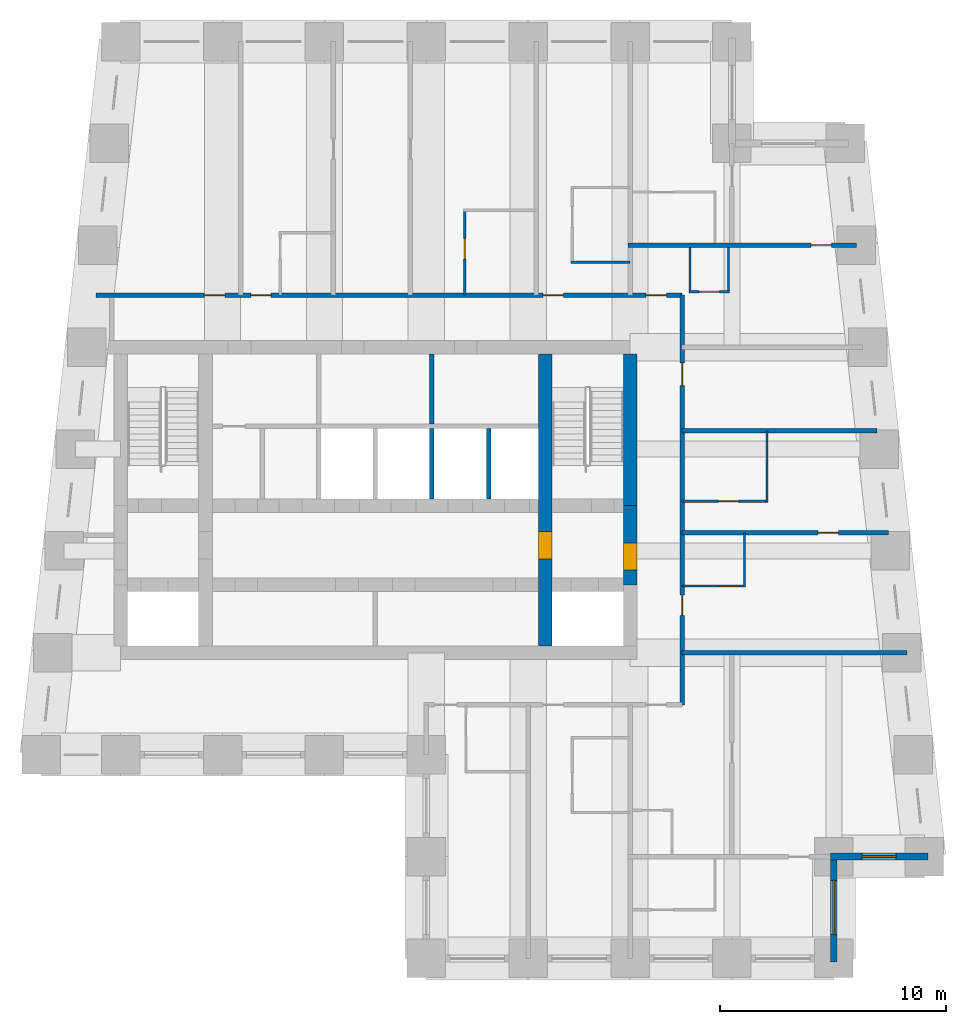
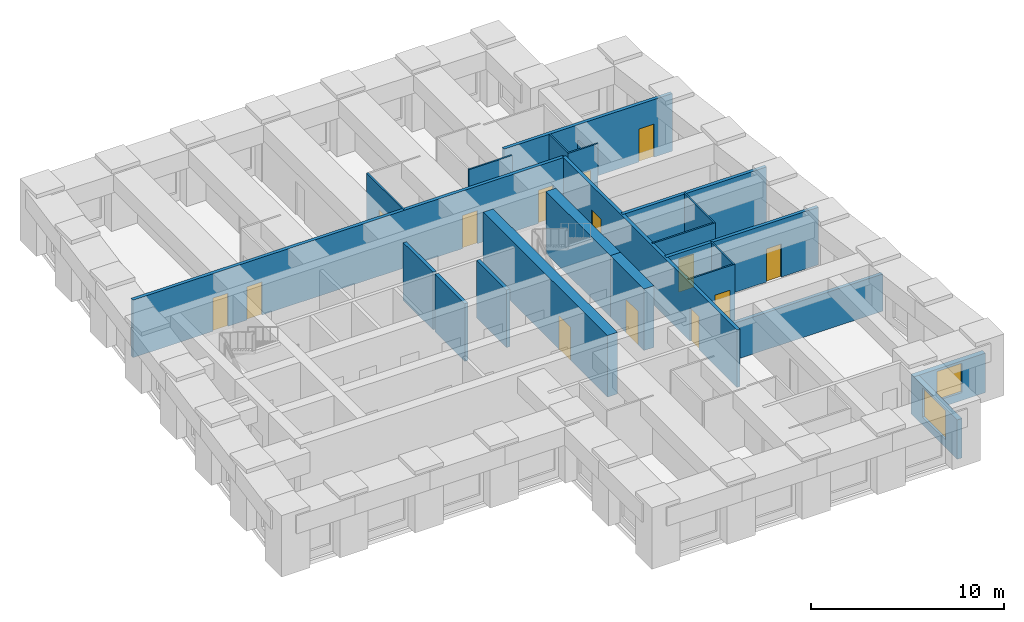
# One storey, part 4 of 7: 23 walls, 14 doors, 2 windows, 16 openings.
"""IFC4 building model written with IfcOpenShell, lengths in metres."""

import ifcopenshell
import ifcopenshell.guid

model = None  # the IFC model being written
_history = None  # IfcOwnerHistory: only IFC2X3 demands one
_inside = {}  # id of a spatial element -> (the spatial element, [elements in it])
_under = {}  # id of a project, library or spatial element -> (it, [spatial elements below it])
_declared = {}  # id of a project -> (the project, [libraries it declares])
_typed = {}  # id of a type object -> (the type object, [elements of that type])
_made_of = {}  # id of a material, layer set ... -> (it, [elements and type objects made of it])


def new_model(schema):
    """Start an empty IFC model of exactly this schema.

    Asked for "IFC4X3", IfcOpenShell would pick the latest addendum, in which some entities
    have other attributes; the version numbers below select the first issue.
    IFC2X3 requires an IfcOwnerHistory on every rooted entity: one is made here for all.
    """
    global model, _history
    if schema == "IFC4X3":
        model = ifcopenshell.file(schema_version=(4, 3, 0, 0))
    else:
        model = ifcopenshell.file(schema=schema)
    _inside.clear()
    _under.clear()
    _declared.clear()
    _typed.clear()
    _made_of.clear()
    _history = None
    if model.schema == "IFC2X3":
        org = make("IfcOrganization", Name="unknown")
        user = make(
            "IfcPersonAndOrganization",
            ThePerson=make("IfcPerson", FamilyName="unknown"),
            TheOrganization=org,
        )
        app = make(
            "IfcApplication",
            ApplicationDeveloper=org,
            Version="unknown",
            ApplicationFullName="unknown",
            ApplicationIdentifier="unknown",
        )
        _history = make(
            "IfcOwnerHistory",
            OwningUser=user,
            OwningApplication=app,
            ChangeAction="ADDED",
            CreationDate=0,
        )
    return model


def make(cls, **values):
    """One entity of the class cls with the attributes given. An attribute that is None is left unset."""
    return model.create_entity(
        cls, **{name: value for name, value in values.items() if value is not None}
    )


def rooted(cls, **values):
    """An entity with a GlobalId (a new one), such as an element, a storey or a relation."""
    return make(cls, GlobalId=ifcopenshell.guid.new(), OwnerHistory=_history, **values)


def si_unit(unit_type, name, prefix=None):
    """IfcSIUnit, for example si_unit("LENGTHUNIT", "METRE", prefix="MILLI")."""
    return make("IfcSIUnit", UnitType=unit_type, Prefix=prefix, Name=name)


def assignment(units):
    """IfcUnitAssignment: the units of a project."""
    return None if units is None else make("IfcUnitAssignment", Units=units)


def point(xyz):
    """IfcCartesianPoint."""
    return None if xyz is None else make("IfcCartesianPoint", Coordinates=xyz)


def direction(xyz):
    """IfcDirection."""
    return None if xyz is None else make("IfcDirection", DirectionRatios=xyz)


def frame(location, z_axis=None, x_axis=None):
    """IfcAxis2Placement3D, a coordinate frame: its origin and axes. An axis left out is left unset."""
    return make(
        "IfcAxis2Placement3D",
        Location=point(location),
        Axis=direction(z_axis),
        RefDirection=direction(x_axis),
    )


def frame_2d(location, x_axis=None):
    """IfcAxis2Placement2D, a coordinate frame in the plane: its origin and x axis."""
    return make(
        "IfcAxis2Placement2D", Location=point(location), RefDirection=direction(x_axis)
    )


def origin():
    """The frame at (0, 0, 0) with its axes left unset."""
    return frame((0.0, 0.0, 0.0))


def place(relative_to, where):
    """IfcLocalPlacement: puts the frame where relative to a parent placement (None: the world)."""
    return make(
        "IfcLocalPlacement", PlacementRelTo=relative_to, RelativePlacement=where
    )


def context(
    kind, dimensions, precision=None, world=None, true_north=None, identifier=None
):
    """IfcGeometricRepresentationContext, for example the 3D "Model" context."""
    return make(
        "IfcGeometricRepresentationContext",
        ContextIdentifier=identifier,
        ContextType=kind,
        CoordinateSpaceDimension=dimensions,
        Precision=precision,
        WorldCoordinateSystem=world,
        TrueNorth=true_north,
    )


def subcontext(parent, identifier, kind, view, scale=None):
    """IfcGeometricRepresentationSubContext, for example "Body" below "Model"."""
    return make(
        "IfcGeometricRepresentationSubContext",
        ContextIdentifier=identifier,
        ContextType=kind,
        ParentContext=parent,
        TargetScale=scale,
        TargetView=view,
    )


def project(units=None, contexts=None):
    """IfcProject with its units and contexts."""
    return rooted(
        "IfcProject",
        Name="project",
        RepresentationContexts=contexts,
        UnitsInContext=assignment(units),
    )


def spatial(cls, under=None, at=None, **own):
    """A site, building, storey or space (cls), placed at a placement, below another one or the project."""
    s = rooted(cls, ObjectPlacement=at, **own)
    if under is not None:
        _under.setdefault(under.id(), (under, []))[1].append(s)
    return s


def profile(cls, at=None, kind="AREA", **sizes):
    """A parametric profile (cls). Its sizes go by their IFC names, for example OverallWidth=200.0."""
    return make(cls, ProfileType=kind, Position=at, **sizes)


def rectangle(**sizes):
    """IfcRectangleProfileDef."""
    return profile("IfcRectangleProfileDef", **sizes)


def extrude(swept, where, along, depth):
    """IfcExtrudedAreaSolid: the profile swept, set in the frame where, extruded along a direction by depth."""
    return make(
        "IfcExtrudedAreaSolid",
        SweptArea=swept,
        Position=where,
        ExtrudedDirection=direction(along),
        Depth=depth,
    )


def shape(context_of_items, identifier, shape_type, items):
    """IfcShapeRepresentation: the items that make up one representation, for example the "Body"."""
    return make(
        "IfcShapeRepresentation",
        ContextOfItems=context_of_items,
        RepresentationIdentifier=identifier,
        RepresentationType=shape_type,
        Items=items,
    )


def material(Name=None, Category=None):
    """IfcMaterial."""
    return make("IfcMaterial", Name=Name, Category=Category)


def layer(
    of_material, thickness, ventilated=None, Name=None, Category=None, Priority=None
):
    """IfcMaterialLayer: one layer of a wall or slab, of a material (None: an air gap)."""
    return make(
        "IfcMaterialLayer",
        Material=of_material,
        LayerThickness=thickness,
        IsVentilated=ventilated,
        Name=Name,
        Category=Category,
        Priority=Priority,
    )


def layer_set(layers, Name=None):
    """IfcMaterialLayerSet."""
    return make("IfcMaterialLayerSet", MaterialLayers=layers, LayerSetName=Name)


def made_of(thing, what):
    """Note that an element or type object is made of a material, layer set ...; save() writes the relation."""
    if what is not None:
        _made_of.setdefault(what.id(), (what, []))[1].append(thing)
    return thing


def type_object(cls, material=None, **own):
    """A type object (cls), such as IfcWallType, which elements share."""
    return made_of(rooted(cls, **own), material)


def element(
    cls,
    number,
    at=None,
    inside=None,
    cuts=None,
    type_object=None,
    material=None,
    context=None,
    identifier="Body",
    shape_type=None,
    held_by="IfcProductDefinitionShape",
    body=None,
    shapes=None,
    **own,
):
    """One element of the class cls, such as IfcWall. Its Tag is "e" and its number.

    at: its placement. inside: the storey or other place that contains it. cuts: it is an
    opening in that element (IfcRelVoidsElement). A single representation is given by context,
    identifier, shape_type and body (its items); several are given by shapes. held_by: the class
    of the entity that holds the representations. save() writes the other relations.
    """
    e = rooted(cls, Tag="e%d" % number, ObjectPlacement=at, **own)
    if body is not None:
        shapes = [shape(context, identifier, shape_type, body)]
    if shapes is not None:
        e.Representation = make(held_by, Representations=shapes)
    if inside is not None:
        _inside.setdefault(inside.id(), (inside, []))[1].append(e)
    if cuts is not None:
        rooted(
            "IfcRelVoidsElement", RelatingBuildingElement=cuts, RelatedOpeningElement=e
        )
    if type_object is not None:
        _typed.setdefault(type_object.id(), (type_object, []))[1].append(e)
    return made_of(e, material)


def fill(opening, filler):
    """IfcRelFillsElement: the door or window that sits in an opening."""
    return rooted(
        "IfcRelFillsElement",
        RelatingOpeningElement=opening,
        RelatedBuildingElement=filler,
    )


def aggregate(whole, parts):
    """IfcRelAggregates: a whole, such as a stair, and the parts it consists of."""
    return rooted("IfcRelAggregates", RelatingObject=whole, RelatedObjects=parts)


def save(model, path):
    """Write the relations noted so far, then the file.

    IfcRelAggregates (storeys below a building ...), IfcRelContainedInSpatialStructure (elements
    in a storey), IfcRelDefinesByType, IfcRelAssociatesMaterial and IfcRelDeclares: one each for
    every whole, place, type object, material and project.
    """
    for whole, parts in _under.values():
        aggregate(whole, parts)
    for where, things in _inside.values():
        rooted(
            "IfcRelContainedInSpatialStructure",
            RelatedElements=things,
            RelatingStructure=where,
        )
    for kind, things in _typed.values():
        rooted("IfcRelDefinesByType", RelatedObjects=things, RelatingType=kind)
    for what, things in _made_of.values():
        rooted("IfcRelAssociatesMaterial", RelatedObjects=things, RelatingMaterial=what)
    for by, libraries in _declared.values():
        rooted("IfcRelDeclares", RelatingContext=by, RelatedDefinitions=libraries)
    model.write(path)


model = new_model("IFC4")

# Units and contexts
model_context = context("Model", 3, precision=1e-05, world=origin(), true_north=direction((0.0, 1.0)))
body_context = subcontext(model_context, "Body", "Model", "MODEL_VIEW")
ifc_project = project(units=[si_unit("LENGTHUNIT", "METRE"), si_unit("AREAUNIT", "SQUARE_METRE"), si_unit("VOLUMEUNIT", "CUBIC_METRE"), si_unit("PLANEANGLEUNIT", "RADIAN"), si_unit("MASSUNIT", "GRAM", prefix="KILO")], contexts=[model_context])

# Site, building, storey
site_placement = place(None, origin())
site = spatial("IfcSite", under=ifc_project, at=site_placement, CompositionType="ELEMENT")
building_placement = place(site_placement, origin())
building = spatial("IfcBuilding", under=site, at=building_placement, Name="Kilele Tower Hotel", CompositionType="ELEMENT")
storey_placement = place(building_placement, frame((0.0, 0.0, 233.0)))
storey = spatial("IfcBuildingStorey", under=building, at=storey_placement, Name="L60", CompositionType="ELEMENT", Elevation=233.0)

# Wall
ifc_material_1 = material(Name="Moisture-resistant board")
ifc_layer_1 = layer(ifc_material_1, 0.10009765625)
ifc_layer_set_1 = layer_set([ifc_layer_1], Name="Moisture-resistant board")
wall_type_1 = type_object("IfcWallType", Name="Bathroom partition 100", PredefinedType="PLUMBINGWALL", material=ifc_layer_set_1)
wall_1_placement = place(storey_placement, frame((41.050048828125, 16.39990234375, 0.0), z_axis=(0.0, 0.0, 1.0), x_axis=(0.0, 1.0, 0.0)))
element("IfcWall", 1, at=wall_1_placement, inside=storey, type_object=wall_type_1, Name="Bathroom partition 100 L60", PredefinedType="PLUMBINGWALL", context=body_context, shape_type="SweptSolid", body=[
    extrude(rectangle(XDim=2.400146484375, YDim=0.10009765625, at=frame_2d((1.2001953125, 0.0))), origin(), (0.0, 0.0, 1.0), 3.64990234375),
])

# Wall, opening, door
wall_2_placement = place(storey_placement, frame((38.300048828125, 16.449951171875, 0.0), z_axis=(0.0, 0.0, 1.0), x_axis=(1.0, 0.0, 0.0)))
wall_2 = element("IfcWall", 2, at=wall_2_placement, inside=storey, type_object=wall_type_1, Name="Bathroom partition 100 L60", PredefinedType="PLUMBINGWALL", context=body_context, shape_type="SweptSolid", body=[
    extrude(rectangle(XDim=2.800048828125, YDim=0.10009765625, at=frame_2d((1.39990234375, 0.0))), origin(), (0.0, 0.0, 1.0), 3.64990234375),
])
opening_1_placement = place(wall_2_placement, frame((2.5, 0.0, 0.0), z_axis=(0.0, 0.0, 1.0), x_axis=(-1.0, 0.0, 0.0)))
opening_1 = element("IfcOpeningElement", 3, at=opening_1_placement, cuts=wall_2, Name="Opening D2A", PredefinedType="OPENING", context=body_context, shape_type="SweptSolid", body=[
    extrude(rectangle(XDim=0.89990234375, YDim=2.10009765625, at=frame_2d((0.449951171875, 1.050048828125))), frame((0.0, 0.06005859375, 0.0), z_axis=(0.0, -1.0, 0.0), x_axis=(1.0, 0.0, 0.0)), (0.0, 0.0, 1.0), 0.1201171875),
])
ifc_material_2 = material(Name="Timber door leaf in hardwood frame", Category="wood")
door_type_1 = type_object("IfcDoorType", Name="Bathroom door 900", OperationType="SINGLE_SWING_LEFT", PredefinedType="DOOR", material=ifc_material_2)
door_1_placement = place(opening_1_placement, origin())
door_1 = element("IfcDoor", 4, at=door_1_placement, inside=storey, type_object=door_type_1, Name="Bathroom door 6004B", OperationType="SINGLE_SWING_RIGHT", OverallHeight=2.10009765625, OverallWidth=0.89990234375, PredefinedType="DOOR", context=body_context, shape_type="SweptSolid", body=[
    extrude(rectangle(XDim=0.89990234375, YDim=2.10009765625, at=frame_2d((0.449951171875, 1.050048828125))), frame((0.0, 0.02490234375, 0.0), z_axis=(0.0, -1.0, 0.0), x_axis=(1.0, 0.0, 0.0)), (0.0, 0.0, 1.0), 0.050048828125),
])
fill(opening_1, door_1)

# Wall
wall_3_placement = place(storey_placement, frame((42.050048828125, 20.14990234375, 0.0), z_axis=(0.0, 0.0, 1.0), x_axis=(0.0, 1.0, 0.0)))
element("IfcWall", 5, at=wall_3_placement, inside=storey, type_object=wall_type_1, Name="Bathroom partition 100 L60", PredefinedType="PLUMBINGWALL", context=body_context, shape_type="SweptSolid", body=[
    extrude(rectangle(XDim=3.150146484375, YDim=0.10009765625, at=frame_2d((1.5751953125, 0.0))), origin(), (0.0, 0.0, 1.0), 3.64990234375),
])

# Wall, opening, door
wall_4_placement = place(storey_placement, frame((38.300048828125, 20.199951171875, 0.0), z_axis=(0.0, 0.0, 1.0), x_axis=(1.0, 0.0, 0.0)))
wall_4 = element("IfcWall", 6, at=wall_4_placement, inside=storey, type_object=wall_type_1, Name="Bathroom partition 100 L60", PredefinedType="PLUMBINGWALL", context=body_context, shape_type="SweptSolid", body=[
    extrude(rectangle(XDim=3.800048828125, YDim=0.10009765625, at=frame_2d((1.89990234375, 0.0))), origin(), (0.0, 0.0, 1.0), 3.64990234375),
])
opening_2_placement = place(wall_4_placement, frame((2.5, 0.0, 0.0), z_axis=(0.0, 0.0, 1.0), x_axis=(-1.0, 0.0, 0.0)))
opening_2 = element("IfcOpeningElement", 7, at=opening_2_placement, cuts=wall_4, Name="Opening D2A", PredefinedType="OPENING", context=body_context, shape_type="SweptSolid", body=[
    extrude(rectangle(XDim=0.89990234375, YDim=2.10009765625, at=frame_2d((0.449951171875, 1.050048828125))), frame((0.0, 0.06005859375, 0.0), z_axis=(0.0, -1.0, 0.0), x_axis=(1.0, 0.0, 0.0)), (0.0, 0.0, 1.0), 0.1201171875),
])
door_2_placement = place(opening_2_placement, origin())
door_2 = element("IfcDoor", 8, at=door_2_placement, inside=storey, type_object=door_type_1, Name="Bathroom door 6005B", OperationType="SINGLE_SWING_RIGHT", OverallHeight=2.10009765625, OverallWidth=0.89990234375, PredefinedType="DOOR", context=body_context, shape_type="SweptSolid", body=[
    extrude(rectangle(XDim=0.89990234375, YDim=2.10009765625, at=frame_2d((0.449951171875, 1.050048828125))), frame((0.0, 0.02490234375, 0.0), z_axis=(0.0, -1.0, 0.0), x_axis=(1.0, 0.0, 0.0)), (0.0, 0.0, 1.0), 0.050048828125),
])
fill(opening_2, door_2)

wall_5_placement = place(storey_placement, frame((28.699951171875, 29.300048828125, 0.0), z_axis=(0.0, 0.0, 1.0), x_axis=(0.0, 1.0, 0.0)))
wall_5 = element("IfcWall", 9, at=wall_5_placement, inside=storey, type_object=wall_type_1, Name="Bathroom partition 100 L60", PredefinedType="PLUMBINGWALL", context=body_context, shape_type="SweptSolid", body=[
    extrude(rectangle(XDim=3.800048828125, YDim=0.10009765625, at=frame_2d((1.89990234375, 0.0))), origin(), (0.0, 0.0, 1.0), 3.64990234375),
])
opening_3_placement = place(wall_5_placement, frame((1.60009765625, 0.0, 0.0)))
opening_3 = element("IfcOpeningElement", 10, at=opening_3_placement, cuts=wall_5, Name="Opening D2A", PredefinedType="OPENING", context=body_context, shape_type="SweptSolid", body=[
    extrude(rectangle(XDim=0.89990234375, YDim=2.10009765625, at=frame_2d((0.449951171875, 1.050048828125))), frame((0.0, 0.06005859375, 0.0), z_axis=(0.0, -1.0, 0.0), x_axis=(1.0, 0.0, 0.0)), (0.0, 0.0, 1.0), 0.1201171875),
])
door_3_placement = place(opening_3_placement, origin())
door_3 = element("IfcDoor", 11, at=door_3_placement, inside=storey, type_object=door_type_1, Name="Bathroom door 6010B", OperationType="SINGLE_SWING_LEFT", OverallHeight=2.10009765625, OverallWidth=0.89990234375, PredefinedType="DOOR", context=body_context, shape_type="SweptSolid", body=[
    extrude(rectangle(XDim=0.89990234375, YDim=2.10009765625, at=frame_2d((0.449951171875, 1.050048828125))), frame((0.0, 0.02490234375, 0.0), z_axis=(0.0, -1.0, 0.0), x_axis=(1.0, 0.0, 0.0)), (0.0, 0.0, 1.0), 0.050048828125),
])
fill(opening_3, door_3)

# Walls
wall_6_placement = place(storey_placement, frame((33.39990234375, 30.75, 0.0), z_axis=(0.0, 0.0, 1.0), x_axis=(1.0, 0.0, 0.0)))
element("IfcWall", 12, at=wall_6_placement, inside=storey, type_object=wall_type_1, Name="Bathroom partition 100 L60", PredefinedType="PLUMBINGWALL", context=body_context, shape_type="SweptSolid", body=[
    extrude(rectangle(XDim=2.60009765625, YDim=0.10009765625, at=frame_2d((1.300048828125, 0.0))), origin(), (0.0, 0.0, 1.0), 3.64990234375),
])
wall_7_placement = place(storey_placement, frame((40.35009765625, 31.39990234375, 0.0), z_axis=(0.0, 0.0, 1.0), x_axis=(0.0, -1.0, 0.0)))
element("IfcWall", 13, at=wall_7_placement, inside=storey, type_object=wall_type_1, Name="Bathroom partition 100 L60", PredefinedType="PLUMBINGWALL", context=body_context, shape_type="SweptSolid", body=[
    extrude(rectangle(XDim=2.0, YDim=0.10009765625, at=frame_2d((1.0, 0.0))), origin(), (0.0, 0.0, 1.0), 2.64990234375),
])
wall_8_placement = place(storey_placement, frame((38.64990234375, 31.39990234375, 0.0), z_axis=(0.0, 0.0, 1.0), x_axis=(0.0, -1.0, 0.0)))
element("IfcWall", 14, at=wall_8_placement, inside=storey, type_object=wall_type_1, Name="Bathroom partition 100 L60", PredefinedType="PLUMBINGWALL", context=body_context, shape_type="SweptSolid", body=[
    extrude(rectangle(XDim=2.0, YDim=0.10009765625, at=frame_2d((1.0, 0.0))), origin(), (0.0, 0.0, 1.0), 3.64990234375),
])

# Wall, opening, door
wall_9_placement = place(storey_placement, frame((38.60009765625, 29.449951171875, 0.0), z_axis=(0.0, 0.0, 1.0), x_axis=(1.0, 0.0, 0.0)))
wall_9 = element("IfcWall", 15, at=wall_9_placement, inside=storey, type_object=wall_type_1, Name="Bathroom partition 100 L60", PredefinedType="PLUMBINGWALL", context=body_context, shape_type="SweptSolid", body=[
    extrude(rectangle(XDim=1.7998046875, YDim=0.10009765625, at=frame_2d((0.89990234375, 0.0))), origin(), (0.0, 0.0, 1.0), 3.64990234375),
])
opening_4_placement = place(wall_9_placement, frame((1.349853515625, 0.0, 0.0), z_axis=(0.0, 0.0, 1.0), x_axis=(-1.0, 0.0, 0.0)))
opening_4 = element("IfcOpeningElement", 16, at=opening_4_placement, cuts=wall_9, Name="Opening D2A", PredefinedType="OPENING", context=body_context, shape_type="SweptSolid", body=[
    extrude(rectangle(XDim=0.89990234375, YDim=2.10009765625, at=frame_2d((0.449951171875, 1.050048828125))), frame((0.0, 0.06005859375, 0.0), z_axis=(0.0, -1.0, 0.0), x_axis=(1.0, 0.0, 0.0)), (0.0, 0.0, 1.0), 0.1201171875),
])
door_4_placement = place(opening_4_placement, origin())
door_4 = element("IfcDoor", 17, at=door_4_placement, inside=storey, type_object=door_type_1, Name="Bathroom door 6015P", OperationType="SINGLE_SWING_RIGHT", OverallHeight=2.10009765625, OverallWidth=0.89990234375, PredefinedType="DOOR", context=body_context, shape_type="SweptSolid", body=[
    extrude(rectangle(XDim=0.89990234375, YDim=2.10009765625, at=frame_2d((0.449951171875, 1.050048828125))), frame((0.0, 0.02490234375, 0.0), z_axis=(0.0, -1.0, 0.0), x_axis=(1.0, 0.0, 0.0)), (0.0, 0.0, 1.0), 0.050048828125),
])
fill(opening_4, door_4)

ifc_material_3 = material(Name="Concrete C60/75", Category="concrete")
ifc_layer_2 = layer(ifc_material_3, 0.60009765625)
ifc_layer_set_2 = layer_set([ifc_layer_2], Name="Concrete C60/75")
wall_type_2 = type_object("IfcWallType", Name="Core wall 600 C60/75", PredefinedType="SHEAR", material=ifc_layer_set_2)
wall_10_placement = place(storey_placement, frame((32.25, 13.800048828125, 0.0), z_axis=(0.0, 0.0, 1.0), x_axis=(0.0, 1.0, 0.0)))
wall_10 = element("IfcWall", 18, at=wall_10_placement, inside=storey, type_object=wall_type_2, Name="Core wall IE L60", PredefinedType="SHEAR", context=body_context, shape_type="SweptSolid", body=[
    extrude(rectangle(XDim=12.89990234375, YDim=0.60009765625, at=frame_2d((6.449951171875, 0.0))), origin(), (0.0, 0.0, 1.0), 3.89990234375),
])
opening_5_placement = place(wall_10_placement, frame((5.050048828125, 0.0, 0.0), z_axis=(0.0, 0.0, 1.0), x_axis=(-1.0, 0.0, 0.0)))
opening_5 = element("IfcOpeningElement", 19, at=opening_5_placement, cuts=wall_10, Name="Opening D4", PredefinedType="OPENING", context=body_context, shape_type="SweptSolid", body=[
    extrude(rectangle(XDim=1.199951171875, YDim=2.10009765625, at=frame_2d((0.60009765625, 1.050048828125))), frame((0.0, 0.31005859375, 0.0), z_axis=(0.0, -1.0, 0.0), x_axis=(1.0, 0.0, 0.0)), (0.0, 0.0, 1.0), 0.6201171875),
])
ifc_material_4 = material(Name="Timber door leaf in hardwood frame", Category="wood")
door_type_2 = type_object("IfcDoorType", Name="Firefighting lobby door 1200", OperationType="SINGLE_SWING_LEFT", PredefinedType="DOOR", material=ifc_material_4)
door_5_placement = place(opening_5_placement, origin())
door_5 = element("IfcDoor", 20, at=door_5_placement, inside=storey, type_object=door_type_2, Name="Lobby door L60", OperationType="SINGLE_SWING_RIGHT", OverallHeight=2.10009765625, OverallWidth=1.199951171875, PredefinedType="DOOR", context=body_context, shape_type="SweptSolid", body=[
    extrude(rectangle(XDim=1.199951171875, YDim=2.10009765625, at=frame_2d((0.60009765625, 1.050048828125))), frame((0.0, 0.2998046875, 0.0), z_axis=(0.0, -1.0, 0.0), x_axis=(1.0, 0.0, 0.0)), (0.0, 0.0, 1.0), 0.599609375),
])
fill(opening_5, door_5)

wall_11_placement = place(storey_placement, frame((36.0, 16.5, 0.0), z_axis=(0.0, 0.0, 1.0), x_axis=(0.0, 1.0, 0.0)))
wall_11 = element("IfcWall", 21, at=wall_11_placement, inside=storey, type_object=wall_type_2, Name="Core wall E2 L60", PredefinedType="SHEAR", context=body_context, shape_type="SweptSolid", body=[
    extrude(rectangle(XDim=3.5, YDim=0.60009765625, at=frame_2d((1.75, 0.0))), origin(), (0.0, 0.0, 1.0), 3.89990234375),
])
opening_6_placement = place(wall_11_placement, frame((0.64990234375, 0.0, 0.0)))
opening_6 = element("IfcOpeningElement", 22, at=opening_6_placement, cuts=wall_11, Name="Opening D4", PredefinedType="OPENING", context=body_context, shape_type="SweptSolid", body=[
    extrude(rectangle(XDim=1.199951171875, YDim=2.10009765625, at=frame_2d((0.60009765625, 1.050048828125))), frame((0.0, 0.31005859375, 0.0), z_axis=(0.0, -1.0, 0.0), x_axis=(1.0, 0.0, 0.0)), (0.0, 0.0, 1.0), 0.6201171875),
])
door_6_placement = place(opening_6_placement, origin())
door_6 = element("IfcDoor", 23, at=door_6_placement, inside=storey, type_object=door_type_2, Name="Lobby door L60", OperationType="SINGLE_SWING_LEFT", OverallHeight=2.10009765625, OverallWidth=1.199951171875, PredefinedType="DOOR", context=body_context, shape_type="SweptSolid", body=[
    extrude(rectangle(XDim=1.199951171875, YDim=2.10009765625, at=frame_2d((0.60009765625, 1.050048828125))), frame((0.0, 0.2998046875, 0.0), z_axis=(0.0, -1.0, 0.0), x_axis=(1.0, 0.0, 0.0)), (0.0, 0.0, 1.0), 0.599609375),
])
fill(opening_6, door_6)

# Wall
wall_12_placement = place(storey_placement, frame((36.0, 20.0, 0.0), z_axis=(0.0, 0.0, 1.0), x_axis=(0.0, 1.0, 0.0)))
element("IfcWall", 24, at=wall_12_placement, inside=storey, type_object=wall_type_2, Name="Core wall E3 L60", PredefinedType="SHEAR", context=body_context, shape_type="SweptSolid", body=[
    extrude(rectangle(XDim=6.699951171875, YDim=0.60009765625, at=frame_2d((3.35009765625, 0.0))), origin(), (0.0, 0.0, 1.0), 3.89990234375),
])

# Wall, openings, doors
ifc_material_5 = material(Name="Blockwork, plastered both sides", Category="masonry")
ifc_layer_3 = layer(ifc_material_5, 0.199951171875)
ifc_layer_set_3 = layer_set([ifc_layer_3], Name="Blockwork, plastered both sides")
wall_type_3 = type_object("IfcWallType", Name="Corridor wall 200", PredefinedType="PARTITIONING", material=ifc_layer_set_3)
wall_13_placement = place(storey_placement, frame((12.406494140625, 29.300048828125, 0.0), z_axis=(0.0, 0.0, 1.0), x_axis=(1.0, 0.0, 0.0)))
wall_13 = element("IfcWall", 25, at=wall_13_placement, inside=storey, type_object=wall_type_3, Name="Corridor wall 200 L60", PredefinedType="PARTITIONING", context=body_context, shape_type="SweptSolid", body=[
    extrude(rectangle(XDim=25.8935546875, YDim=0.199951171875, at=frame_2d((12.94677734375, 0.0))), origin(), (0.0, 0.0, 1.0), 3.64990234375),
])
opening_7_placement = place(wall_13_placement, frame((4.79345703125, 0.0, 0.0)))
opening_7 = element("IfcOpeningElement", 26, at=opening_7_placement, cuts=wall_13, Name="Opening D1", PredefinedType="OPENING", context=body_context, shape_type="SweptSolid", body=[
    extrude(rectangle(XDim=0.89990234375, YDim=2.10009765625, at=frame_2d((0.449951171875, 1.050048828125))), frame((0.0, 0.10986328125, 0.0), z_axis=(0.0, -1.0, 0.0), x_axis=(1.0, 0.0, 0.0)), (0.0, 0.0, 1.0), 0.219970703125),
])
opening_8_placement = place(wall_13_placement, frame((6.843505859375, 0.0, 0.0)))
opening_8 = element("IfcOpeningElement", 27, at=opening_8_placement, cuts=wall_13, Name="Opening D1", PredefinedType="OPENING", context=body_context, shape_type="SweptSolid", body=[
    extrude(rectangle(XDim=0.89990234375, YDim=2.10009765625, at=frame_2d((0.449951171875, 1.050048828125))), frame((0.0, 0.10986328125, 0.0), z_axis=(0.0, -1.0, 0.0), x_axis=(1.0, 0.0, 0.0)), (0.0, 0.0, 1.0), 0.219970703125),
])
opening_9_placement = place(wall_13_placement, frame((19.743408203125, 0.0, 0.0)))
opening_9 = element("IfcOpeningElement", 28, at=opening_9_placement, cuts=wall_13, Name="Opening D1", PredefinedType="OPENING", context=body_context, shape_type="SweptSolid", body=[
    extrude(rectangle(XDim=0.89990234375, YDim=2.10009765625, at=frame_2d((0.449951171875, 1.050048828125))), frame((0.0, 0.10986328125, 0.0), z_axis=(0.0, -1.0, 0.0), x_axis=(1.0, 0.0, 0.0)), (0.0, 0.0, 1.0), 0.219970703125),
])
opening_10_placement = place(wall_13_placement, frame((24.29345703125, 0.0, 0.0)))
opening_10 = element("IfcOpeningElement", 29, at=opening_10_placement, cuts=wall_13, Name="Opening D1", PredefinedType="OPENING", context=body_context, shape_type="SweptSolid", body=[
    extrude(rectangle(XDim=0.89990234375, YDim=2.10009765625, at=frame_2d((0.449951171875, 1.050048828125))), frame((0.0, 0.10986328125, 0.0), z_axis=(0.0, -1.0, 0.0), x_axis=(1.0, 0.0, 0.0)), (0.0, 0.0, 1.0), 0.219970703125),
])
ifc_material_6 = material(Name="Timber door leaf in hardwood frame", Category="wood")
door_type_3 = type_object("IfcDoorType", Name="Guest room entrance door 900", OperationType="SINGLE_SWING_LEFT", PredefinedType="DOOR", material=ifc_material_6)
door_7_placement = place(opening_7_placement, origin())
door_7 = element("IfcDoor", 30, at=door_7_placement, inside=storey, type_object=door_type_3, Name="Room entrance 6007", OperationType="SINGLE_SWING_RIGHT", OverallHeight=2.10009765625, OverallWidth=0.89990234375, PredefinedType="DOOR", context=body_context, shape_type="SweptSolid", body=[
    extrude(rectangle(XDim=0.89990234375, YDim=2.10009765625, at=frame_2d((0.449951171875, 1.050048828125))), frame((0.0, 0.02490234375, 0.0), z_axis=(0.0, -1.0, 0.0), x_axis=(1.0, 0.0, 0.0)), (0.0, 0.0, 1.0), 0.050048828125),
])
fill(opening_7, door_7)
door_8_placement = place(opening_8_placement, origin())
door_8 = element("IfcDoor", 31, at=door_8_placement, inside=storey, type_object=door_type_3, Name="Room entrance 6008", OperationType="SINGLE_SWING_LEFT", OverallHeight=2.10009765625, OverallWidth=0.89990234375, PredefinedType="DOOR", context=body_context, shape_type="SweptSolid", body=[
    extrude(rectangle(XDim=0.89990234375, YDim=2.10009765625, at=frame_2d((0.449951171875, 1.050048828125))), frame((0.0, 0.02490234375, 0.0), z_axis=(0.0, -1.0, 0.0), x_axis=(1.0, 0.0, 0.0)), (0.0, 0.0, 1.0), 0.050048828125),
])
fill(opening_8, door_8)
door_9_placement = place(opening_9_placement, origin())
door_9 = element("IfcDoor", 32, at=door_9_placement, inside=storey, type_object=door_type_3, Name="Room entrance 6011", OperationType="SINGLE_SWING_LEFT", OverallHeight=2.10009765625, OverallWidth=0.89990234375, PredefinedType="DOOR", context=body_context, shape_type="SweptSolid", body=[
    extrude(rectangle(XDim=0.89990234375, YDim=2.10009765625, at=frame_2d((0.449951171875, 1.050048828125))), frame((0.0, 0.02490234375, 0.0), z_axis=(0.0, -1.0, 0.0), x_axis=(1.0, 0.0, 0.0)), (0.0, 0.0, 1.0), 0.050048828125),
])
fill(opening_9, door_9)
door_10_placement = place(opening_10_placement, origin())
door_10 = element("IfcDoor", 33, at=door_10_placement, inside=storey, type_object=door_type_3, Name="Room entrance 6015", OperationType="SINGLE_SWING_LEFT", OverallHeight=2.10009765625, OverallWidth=0.89990234375, PredefinedType="DOOR", context=body_context, shape_type="SweptSolid", body=[
    extrude(rectangle(XDim=0.89990234375, YDim=2.10009765625, at=frame_2d((0.449951171875, 1.050048828125))), frame((0.0, 0.02490234375, 0.0), z_axis=(0.0, -1.0, 0.0), x_axis=(1.0, 0.0, 0.0)), (0.0, 0.0, 1.0), 0.050048828125),
])
fill(opening_10, door_10)

wall_14_placement = place(storey_placement, frame((38.300048828125, 11.199951171875, 0.0), z_axis=(0.0, 0.0, 1.0), x_axis=(0.0, 1.0, 0.0)))
wall_14 = element("IfcWall", 34, at=wall_14_placement, inside=storey, type_object=wall_type_3, Name="Corridor wall 200 L60", PredefinedType="PARTITIONING", context=body_context, shape_type="SweptSolid", body=[
    extrude(rectangle(XDim=18.10009765625, YDim=0.199951171875, at=frame_2d((9.050048828125, 0.0))), origin(), (0.0, 0.0, 1.0), 3.64990234375),
])
opening_11_placement = place(wall_14_placement, frame((4.849853515625, 0.0, 0.0), z_axis=(0.0, 0.0, 1.0), x_axis=(-1.0, 0.0, 0.0)))
opening_11 = element("IfcOpeningElement", 35, at=opening_11_placement, cuts=wall_14, Name="Opening D1", PredefinedType="OPENING", context=body_context, shape_type="SweptSolid", body=[
    extrude(rectangle(XDim=0.89990234375, YDim=2.10009765625, at=frame_2d((0.449951171875, 1.050048828125))), frame((0.0, 0.10986328125, 0.0), z_axis=(0.0, -1.0, 0.0), x_axis=(1.0, 0.0, 0.0)), (0.0, 0.0, 1.0), 0.219970703125),
])
opening_12_placement = place(wall_14_placement, frame((15.10009765625, 0.0, 0.0), z_axis=(0.0, 0.0, 1.0), x_axis=(-1.0, 0.0, 0.0)))
opening_12 = element("IfcOpeningElement", 36, at=opening_12_placement, cuts=wall_14, Name="Opening D8", PredefinedType="OPENING", context=body_context, shape_type="SweptSolid", body=[
    extrude(rectangle(XDim=1.0, YDim=2.10009765625, at=frame_2d((0.5, 1.050048828125))), frame((0.0, 0.10986328125, 0.0), z_axis=(0.0, -1.0, 0.0), x_axis=(1.0, 0.0, 0.0)), (0.0, 0.0, 1.0), 0.219970703125),
])
ifc_material_7 = material(Name="Timber door leaf in hardwood frame", Category="wood")
door_type_4 = type_object("IfcDoorType", Name="Door 1000", OperationType="SINGLE_SWING_LEFT", PredefinedType="DOOR", material=ifc_material_7)
door_11_placement = place(opening_12_placement, origin())
door_11 = element("IfcDoor", 37, at=door_11_placement, inside=storey, type_object=door_type_4, Name="Room entrance 6006", OperationType="SINGLE_SWING_LEFT", OverallHeight=2.10009765625, OverallWidth=1.0, PredefinedType="DOOR", context=body_context, shape_type="SweptSolid", body=[
    extrude(rectangle(XDim=1.0, YDim=2.10009765625, at=frame_2d((0.5, 1.050048828125))), frame((0.0, 0.02490234375, 0.0), z_axis=(0.0, -1.0, 0.0), x_axis=(1.0, 0.0, 0.0)), (0.0, 0.0, 1.0), 0.050048828125),
])
fill(opening_12, door_11)
door_12_placement = place(opening_11_placement, origin())
door_12 = element("IfcDoor", 38, at=door_12_placement, inside=storey, type_object=door_type_3, Name="Room entrance 6004", OperationType="SINGLE_SWING_LEFT", OverallHeight=2.10009765625, OverallWidth=0.89990234375, PredefinedType="DOOR", context=body_context, shape_type="SweptSolid", body=[
    extrude(rectangle(XDim=0.89990234375, YDim=2.10009765625, at=frame_2d((0.449951171875, 1.050048828125))), frame((0.0, 0.02490234375, 0.0), z_axis=(0.0, -1.0, 0.0), x_axis=(1.0, 0.0, 0.0)), (0.0, 0.0, 1.0), 0.050048828125),
])
fill(opening_11, door_12)

# Wall, opening, door
ifc_material_8 = material(Name="Blockwork, plastered both sides", Category="masonry")
ifc_layer_4 = layer(ifc_material_8, 0.199951171875)
ifc_layer_set_4 = layer_set([ifc_layer_4], Name="Blockwork, plastered both sides")
wall_type_4 = type_object("IfcWallType", Name="Party wall 200", PredefinedType="PARTITIONING", material=ifc_layer_set_4)
wall_15_placement = place(storey_placement, frame((38.300048828125, 18.800048828125, 0.0), z_axis=(0.0, 0.0, 1.0), x_axis=(1.0, 0.0, 0.0)))
wall_15 = element("IfcWall", 39, at=wall_15_placement, inside=storey, type_object=wall_type_4, Name="Party wall 200 L60", PredefinedType="PARTITIONING", context=body_context, shape_type="SweptSolid", body=[
    extrude(rectangle(XDim=9.110107421875, YDim=0.199951171875, at=frame_2d((4.55517578125, 0.0))), origin(), (0.0, 0.0, 1.0), 3.64990234375),
])
opening_13_placement = place(wall_15_placement, frame((6.0, 0.0, 0.0)))
opening_13 = element("IfcOpeningElement", 40, at=opening_13_placement, cuts=wall_15, Name="Opening D3", PredefinedType="OPENING", context=body_context, shape_type="SweptSolid", body=[
    extrude(rectangle(XDim=0.89990234375, YDim=2.10009765625, at=frame_2d((0.449951171875, 1.050048828125))), frame((0.0, 0.10986328125, 0.0), z_axis=(0.0, -1.0, 0.0), x_axis=(1.0, 0.0, 0.0)), (0.0, 0.0, 1.0), 0.219970703125),
])
ifc_material_9 = material(Name="Timber door leaf in hardwood frame", Category="wood")
door_type_5 = type_object("IfcDoorType", Name="Suite internal door 900", OperationType="SINGLE_SWING_LEFT", PredefinedType="DOOR", material=ifc_material_9)
door_13_placement = place(opening_13_placement, origin())
door_13 = element("IfcDoor", 41, at=door_13_placement, inside=storey, type_object=door_type_5, Name="Suite door 6005", OperationType="SINGLE_SWING_RIGHT", OverallHeight=2.10009765625, OverallWidth=0.89990234375, PredefinedType="DOOR", context=body_context, shape_type="SweptSolid", body=[
    extrude(rectangle(XDim=0.89990234375, YDim=2.10009765625, at=frame_2d((0.449951171875, 1.050048828125))), frame((0.0, 0.02490234375, 0.0), z_axis=(0.0, -1.0, 0.0), x_axis=(1.0, 0.0, 0.0)), (0.0, 0.0, 1.0), 0.050048828125),
])
fill(opening_13, door_13)

# Walls
wall_16_placement = place(storey_placement, frame((38.300048828125, 23.300048828125, 0.0), z_axis=(0.0, 0.0, 1.0), x_axis=(1.0, 0.0, 0.0)))
element("IfcWall", 42, at=wall_16_placement, inside=storey, type_object=wall_type_4, Name="Party wall 200 L60", PredefinedType="PARTITIONING", context=body_context, shape_type="SweptSolid", body=[
    extrude(rectangle(XDim=8.610107421875, YDim=0.199951171875, at=frame_2d((4.30517578125, 0.0))), origin(), (0.0, 0.0, 1.0), 3.64990234375),
])
wall_17_placement = place(storey_placement, frame((38.300048828125, 13.5, 0.0), z_axis=(0.0, 0.0, 1.0), x_axis=(1.0, 0.0, 0.0)))
element("IfcWall", 43, at=wall_17_placement, inside=storey, type_object=wall_type_4, Name="Party wall 200 L60", PredefinedType="PARTITIONING", context=body_context, shape_type="SweptSolid", body=[
    extrude(rectangle(XDim=9.921142578125, YDim=0.199951171875, at=frame_2d((4.96044921875, 0.0))), origin(), (0.0, 0.0, 1.0), 2.35009765625),
])

# Wall, opening, door
wall_18_placement = place(storey_placement, frame((35.89990234375, 31.5, 0.0), z_axis=(0.0, 0.0, 1.0), x_axis=(1.0, 0.0, 0.0)))
wall_18 = element("IfcWall", 44, at=wall_18_placement, inside=storey, type_object=wall_type_4, Name="Party wall 200 L60", PredefinedType="PARTITIONING", context=body_context, shape_type="SweptSolid", body=[
    extrude(rectangle(XDim=10.09912109375, YDim=0.199951171875, at=frame_2d((5.049560546875, 0.0))), origin(), (0.0, 0.0, 1.0), 3.64990234375),
])
opening_14_placement = place(wall_18_placement, frame((8.09912109375, 0.0, 0.0)))
opening_14 = element("IfcOpeningElement", 45, at=opening_14_placement, cuts=wall_18, Name="Opening D3", PredefinedType="OPENING", context=body_context, shape_type="SweptSolid", body=[
    extrude(rectangle(XDim=0.89990234375, YDim=2.10009765625, at=frame_2d((0.449951171875, 1.050048828125))), frame((0.0, 0.10986328125, 0.0), z_axis=(0.0, -1.0, 0.0), x_axis=(1.0, 0.0, 0.0)), (0.0, 0.0, 1.0), 0.219970703125),
])
door_14_placement = place(opening_14_placement, origin())
door_14 = element("IfcDoor", 46, at=door_14_placement, inside=storey, type_object=door_type_5, Name="Suite door 6016", OperationType="SINGLE_SWING_RIGHT", OverallHeight=2.10009765625, OverallWidth=0.89990234375, PredefinedType="DOOR", context=body_context, shape_type="SweptSolid", body=[
    extrude(rectangle(XDim=0.89990234375, YDim=2.10009765625, at=frame_2d((0.449951171875, 1.050048828125))), frame((0.0, 0.02490234375, 0.0), z_axis=(0.0, -1.0, 0.0), x_axis=(1.0, 0.0, 0.0)), (0.0, 0.0, 1.0), 0.050048828125),
])
fill(opening_14, door_14)

# Wall, opening, window
ifc_material_10 = material(Name="Concrete C40/50 precast", Category="concrete")
ifc_layer_5 = layer(ifc_material_10, 0.260009765625, Name="Precast backing", Category="LoadBearing")
ifc_material_11 = material(Name="Reconstituted stone finish", Category="masonry")
ifc_layer_6 = layer(ifc_material_11, 0.0400390625, Name="Face mix", Category="Finish")
ifc_layer_set_5 = layer_set([ifc_layer_5, ifc_layer_6], Name="Precast concrete C40/50, reconstituted stone finish")
wall_type_5 = type_object("IfcWallType", Name="Precast stone facade wall 300", PredefinedType="STANDARD", material=ifc_layer_set_5)
wall_19_placement = place(storey_placement, frame((45.0, -0.14990234375, 0.0), z_axis=(0.0, 0.0, 1.0), x_axis=(0.0, 1.0, 0.0)))
wall_19 = element("IfcWall", 47, at=wall_19_placement, inside=storey, type_object=wall_type_5, Name="Facade wall L60 edge 4", PredefinedType="STANDARD", context=body_context, shape_type="SweptSolid", body=[
    extrude(rectangle(XDim=4.7998046875, YDim=0.300048828125, at=frame_2d((2.39990234375, 0.0))), origin(), (0.0, 0.0, 1.0), 2.5),
])
opening_15_placement = place(wall_19_placement, frame((1.199951171875, 0.0, 0.5)))
opening_15 = element("IfcOpeningElement", 48, at=opening_15_placement, cuts=wall_19, Name="Opening W4", PredefinedType="OPENING", context=body_context, shape_type="SweptSolid", body=[
    extrude(rectangle(XDim=2.39990234375, YDim=1.85009765625, at=frame_2d((1.199951171875, 0.925048828125))), frame((0.0, 0.159912109375, 0.0), z_axis=(0.0, -1.0, 0.0), x_axis=(1.0, 0.0, 0.0)), (0.0, 0.0, 1.0), 0.320068359375),
])
ifc_material_12 = material(Name="Aluminium frame, clear double glazing", Category="aluminium")
window_type_1 = type_object("IfcWindowType", Name="Window W4 2400 x 1850", PartitioningType="SINGLE_PANEL", PredefinedType="WINDOW", material=ifc_material_12)
window_1_placement = place(opening_15_placement, origin())
window_1 = element("IfcWindow", 49, at=window_1_placement, inside=storey, type_object=window_type_1, Name="Window L60", OverallHeight=1.85009765625, OverallWidth=2.39990234375, PartitioningType="SINGLE_PANEL", PredefinedType="WINDOW", context=body_context, shape_type="SweptSolid", body=[
    extrude(rectangle(XDim=2.39990234375, YDim=1.85009765625, at=frame_2d((1.199951171875, 0.925048828125))), frame((0.0, 0.030029296875, 0.0), z_axis=(0.0, -1.0, 0.0), x_axis=(1.0, 0.0, 0.0)), (0.0, 0.0, 1.0), 0.06005859375),
])
fill(opening_15, window_1)

wall_20_placement = place(storey_placement, frame((44.85009765625, 4.5, 0.0), z_axis=(0.0, 0.0, 1.0), x_axis=(1.0, 0.0, 0.0)))
wall_20 = element("IfcWall", 50, at=wall_20_placement, inside=storey, type_object=wall_type_5, Name="Facade wall L60 edge 5", PredefinedType="STANDARD", context=body_context, shape_type="SweptSolid", body=[
    extrude(rectangle(XDim=4.2998046875, YDim=0.300048828125, at=frame_2d((2.14990234375, 0.0))), origin(), (0.0, 0.0, 1.0), 2.5),
])
opening_16_placement = place(wall_20_placement, frame((1.39990234375, 0.0, 0.5)))
opening_16 = element("IfcOpeningElement", 51, at=opening_16_placement, cuts=wall_20, Name="Opening W4", PredefinedType="OPENING", context=body_context, shape_type="SweptSolid", body=[
    extrude(rectangle(XDim=1.5, YDim=1.85009765625, at=frame_2d((0.75, 0.925048828125))), frame((0.0, 0.159912109375, 0.0), z_axis=(0.0, -1.0, 0.0), x_axis=(1.0, 0.0, 0.0)), (0.0, 0.0, 1.0), 0.320068359375),
])
ifc_material_13 = material(Name="Aluminium frame, clear double glazing", Category="aluminium")
window_type_2 = type_object("IfcWindowType", Name="Window W4 1500 x 1850", PartitioningType="SINGLE_PANEL", PredefinedType="WINDOW", material=ifc_material_13)
window_2_placement = place(opening_16_placement, origin())
window_2 = element("IfcWindow", 52, at=window_2_placement, inside=storey, type_object=window_type_2, Name="Window L60", OverallHeight=1.85009765625, OverallWidth=1.5, PartitioningType="SINGLE_PANEL", PredefinedType="WINDOW", context=body_context, shape_type="SweptSolid", body=[
    extrude(rectangle(XDim=1.5, YDim=1.85009765625, at=frame_2d((0.75, 0.925048828125))), frame((0.0, 0.030029296875, 0.0), z_axis=(0.0, -1.0, 0.0), x_axis=(1.0, 0.0, 0.0)), (0.0, 0.0, 1.0), 0.06005859375),
])
fill(opening_16, window_2)

# Walls
ifc_material_14 = material(Name="Blockwork, fire-rated", Category="masonry")
ifc_layer_7 = layer(ifc_material_14, 0.199951171875)
ifc_layer_set_6 = layer_set([ifc_layer_7], Name="Blockwork, fire-rated")
wall_type_6 = type_object("IfcWallType", Name="Shaft wall 200", PredefinedType="PARTITIONING", material=ifc_layer_set_6)
for number, where, z_axis, x_axis, name in (
    (53, (27.25, 20.300048828125, 0.0), (0.0, 0.0, 1.0), (0.0, 1.0, 0.0), "Shaft wall 200 L60"),
    (54, (29.75, 20.300048828125, 0.0), (0.0, 0.0, 1.0), (0.0, 1.0, 0.0), "Shaft wall 200 L60"),
    (55, (27.25, 23.60009765625, 0.0), (0.0, 0.0, 1.0), (0.0, 1.0, 0.0), "Shaft wall 200 L60"),
):
    element("IfcWall", number, at=place(storey_placement, frame(where, z_axis=z_axis, x_axis=x_axis)), inside=storey, type_object=wall_type_6, Name=name, PredefinedType="PARTITIONING", context=body_context, shape_type="SweptSolid", body=[
        extrude(rectangle(XDim=3.099853515625, YDim=0.199951171875, at=frame_2d((1.5498046875, 0.0))), origin(), (0.0, 0.0, 1.0), 3.64990234375),
    ])

save(model, "model.ifc")
